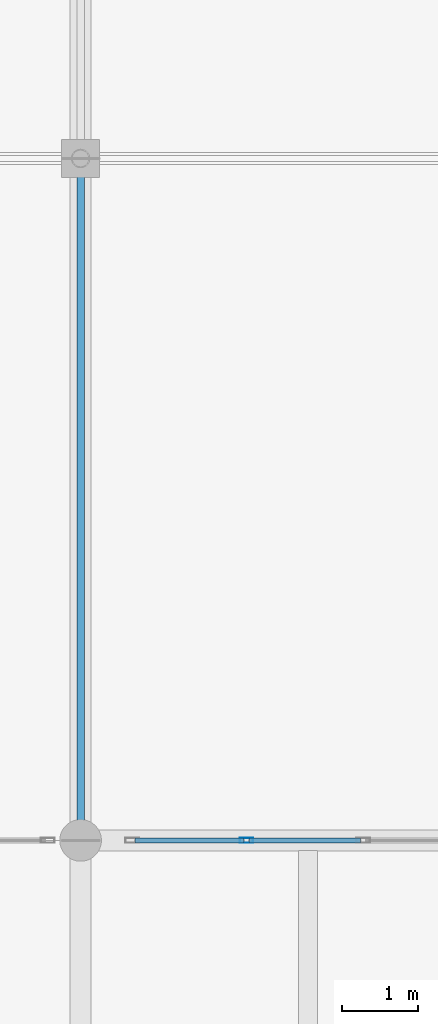
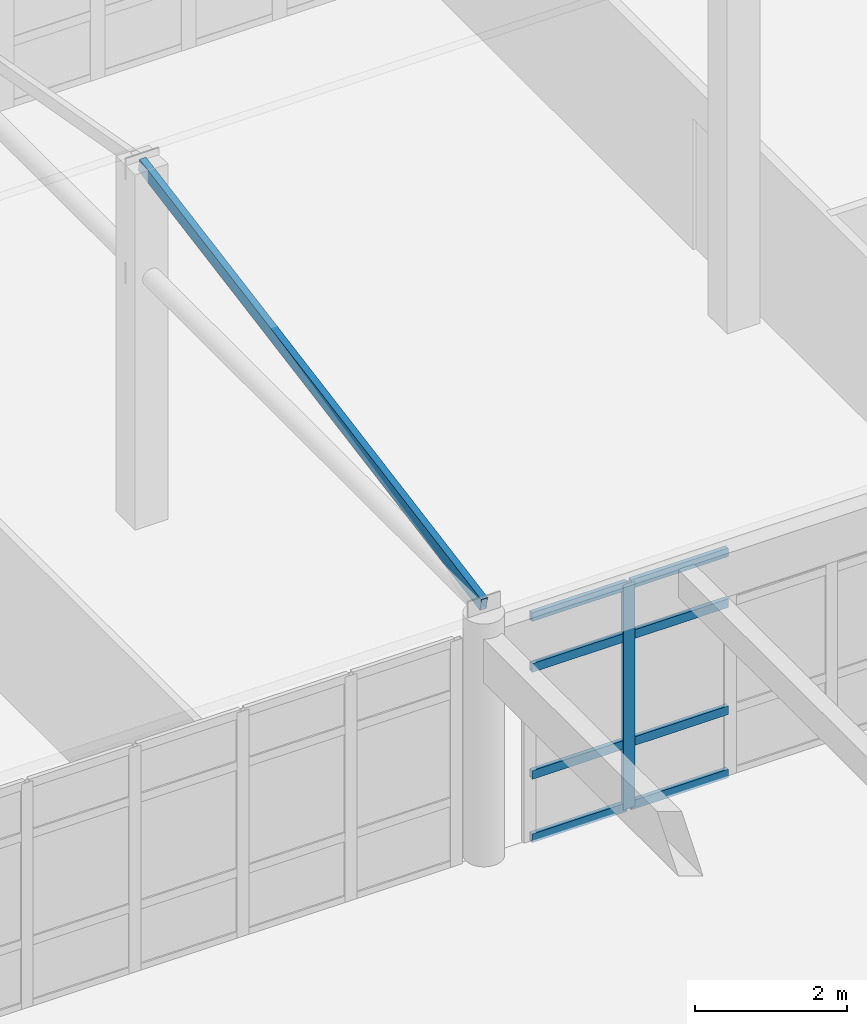
# One storey, part 65 of 156: 10 members, 1 element without a shape of its own.
"""IFC4 building model written with IfcOpenShell, lengths in metres."""

from ifc_helpers import new_model, si_unit, direction, frame, origin, origin_2d, place, context, subcontext, project, spatial, hollow_rectangle, extrude, material, layer, layer_set, material_profile, profile_set, type_object, element, aggregate, save


model = new_model("IFC4")

# Units and contexts
model_context = context("Model", 3, precision=1e-05, world=origin(), true_north=direction((0.0, 1.0)))
body_context = subcontext(model_context, "Body", "Model", "MODEL_VIEW")
ifc_project = project(units=[si_unit("LENGTHUNIT", "METRE"), si_unit("AREAUNIT", "SQUARE_METRE"), si_unit("VOLUMEUNIT", "CUBIC_METRE"), si_unit("PLANEANGLEUNIT", "RADIAN"), si_unit("MASSUNIT", "GRAM", prefix="KILO")], contexts=[model_context])

# Site, building, storey
site_placement = place(None, origin())
site = spatial("IfcSite", under=ifc_project, at=site_placement, CompositionType="ELEMENT")
building_placement = place(site_placement, origin())
building = spatial("IfcBuilding", under=site, at=building_placement, Name="Ornek Quay Market", CompositionType="ELEMENT")
storey_placement = place(building_placement, frame((0.0, 0.0, 4.5)))
storey = spatial("IfcBuildingStorey", under=building, at=storey_placement, Name="L01", CompositionType="ELEMENT", Elevation=4.5)

# Curtain wall, members
ifc_material_1 = material(Name="Anodised bronze aluminium and triple low-e glass", Category="aluminium")
ifc_layer = layer(ifc_material_1, 0.139892578125, Name="Anodised bronze aluminium and triple low-e glass", Category="aluminium")
ifc_layer_set = layer_set([ifc_layer], Name="Anodised bronze aluminium and triple low-e glass")
curtain_wall_type = type_object("IfcCurtainWallType", Name="CW-GALLERY-INT", PredefinedType="USERDEFINED", material=ifc_layer_set)
curtain_wall_placement = place(storey_placement, origin())
curtain_wall = element("IfcCurtainWall", 1, at=curtain_wall_placement, inside=storey, type_object=curtain_wall_type, Name="Curtain wall CW-132", ObjectType="CURTAIN WALL", PredefinedType="USERDEFINED")
ifc_material_2 = material(Name="Anodised aluminium 6063-T6", Category="aluminium")
ifc_material_profile_1 = material_profile(ifc_material_2, hollow_rectangle(XDim=0.06494140625, YDim=0.179931640625, WallThickness=0.00439453125, at=origin_2d()), Name="CW-MUL-65x180", Category="aluminium")
ifc_profile_set_1 = profile_set([ifc_material_profile_1], Name="Anodised aluminium 6063-T6")
member_type_1 = type_object("IfcMemberType", Name="CW-MUL-65x180", PredefinedType="MULLION", material=ifc_profile_set_1)
member_1_placement = place(storey_placement, frame((110.18994140625, 92.0, 0.0), z_axis=(0.0, 0.0, 1.0), x_axis=(0.0, 1.0, 0.0)))
member_1 = element("IfcMember", 2, at=member_1_placement, type_object=member_type_1, Name="CW-132 mullion 2", PredefinedType="MULLION", context=body_context, shape_type="SweptSolid", body=[
    extrude(hollow_rectangle(XDim=0.06494140625, YDim=0.179931640625, WallThickness=0.00439453125, at=origin_2d()), origin(), (0.0, 0.0, 1.0), 3.6201171875),
])
ifc_material_profile_2 = material_profile(ifc_material_2, hollow_rectangle(XDim=0.06494140625, YDim=0.139892578125, WallThickness=0.00439453125, at=origin_2d()), Name="CW-TRN-65x140", Category="aluminium")
ifc_profile_set_2 = profile_set([ifc_material_profile_2], Name="Anodised aluminium 6063-T6")
member_type_2 = type_object("IfcMemberType", Name="CW-TRN-65x140", PredefinedType="USERDEFINED", material=ifc_profile_set_2)
member_2_placement = place(storey_placement, frame((108.715087890625, 92.0, 0.032470703125), z_axis=(1.0, 0.0, 0.0), x_axis=(0.0, 1.0, 0.0)))
member_2 = element("IfcMember", 3, at=member_2_placement, type_object=member_type_2, Name="CW-132 transom 1.1", ObjectType="TRANSOM", PredefinedType="USERDEFINED", context=body_context, shape_type="SweptSolid", body=[
    extrude(hollow_rectangle(XDim=0.06494140625, YDim=0.139892578125, WallThickness=0.00439453125, at=origin_2d()), origin(), (0.0, 0.0, 1.0), 1.4423828125),
])
member_3_placement = place(storey_placement, frame((108.715087890625, 92.0, 1.050048828125), z_axis=(1.0, 0.0, 0.0), x_axis=(0.0, 1.0, 0.0)))
member_3 = element("IfcMember", 4, at=member_3_placement, type_object=member_type_2, Name="CW-132 transom 1.2", ObjectType="TRANSOM", PredefinedType="USERDEFINED", context=body_context, shape_type="SweptSolid", body=[
    extrude(hollow_rectangle(XDim=0.06494140625, YDim=0.139892578125, WallThickness=0.00439453125, at=origin_2d()), origin(), (0.0, 0.0, 1.0), 1.4423828125),
])
member_4_placement = place(storey_placement, frame((108.715087890625, 92.0, 2.77001953125), z_axis=(1.0, 0.0, 0.0), x_axis=(0.0, 1.0, 0.0)))
member_4 = element("IfcMember", 5, at=member_4_placement, type_object=member_type_2, Name="CW-132 transom 1.3", ObjectType="TRANSOM", PredefinedType="USERDEFINED", context=body_context, shape_type="SweptSolid", body=[
    extrude(hollow_rectangle(XDim=0.06494140625, YDim=0.139892578125, WallThickness=0.00439453125, at=origin_2d()), origin(), (0.0, 0.0, 1.0), 1.4423828125),
])
member_5_placement = place(storey_placement, frame((108.715087890625, 92.0, 3.58740234375), z_axis=(1.0, 0.0, 0.0), x_axis=(0.0, 1.0, 0.0)))
member_5 = element("IfcMember", 6, at=member_5_placement, type_object=member_type_2, Name="CW-132 transom 1.4", ObjectType="TRANSOM", PredefinedType="USERDEFINED", context=body_context, shape_type="SweptSolid", body=[
    extrude(hollow_rectangle(XDim=0.06494140625, YDim=0.139892578125, WallThickness=0.00439453125, at=origin_2d()), origin(), (0.0, 0.0, 1.0), 1.4423828125),
])
member_6_placement = place(storey_placement, frame((110.222412109375, 92.0, 0.032470703125), z_axis=(1.0, 0.0, 0.0), x_axis=(0.0, 1.0, 0.0)))
member_6 = element("IfcMember", 7, at=member_6_placement, type_object=member_type_2, Name="CW-132 transom 2.1", ObjectType="TRANSOM", PredefinedType="USERDEFINED", context=body_context, shape_type="SweptSolid", body=[
    extrude(hollow_rectangle(XDim=0.06494140625, YDim=0.139892578125, WallThickness=0.00439453125, at=origin_2d()), origin(), (0.0, 0.0, 1.0), 1.47509765625),
])
member_7_placement = place(storey_placement, frame((110.222412109375, 92.0, 1.050048828125), z_axis=(1.0, 0.0, 0.0), x_axis=(0.0, 1.0, 0.0)))
member_7 = element("IfcMember", 8, at=member_7_placement, type_object=member_type_2, Name="CW-132 transom 2.2", ObjectType="TRANSOM", PredefinedType="USERDEFINED", context=body_context, shape_type="SweptSolid", body=[
    extrude(hollow_rectangle(XDim=0.06494140625, YDim=0.139892578125, WallThickness=0.00439453125, at=origin_2d()), origin(), (0.0, 0.0, 1.0), 1.47509765625),
])
member_8_placement = place(storey_placement, frame((110.222412109375, 92.0, 2.77001953125), z_axis=(1.0, 0.0, 0.0), x_axis=(0.0, 1.0, 0.0)))
member_8 = element("IfcMember", 9, at=member_8_placement, type_object=member_type_2, Name="CW-132 transom 2.3", ObjectType="TRANSOM", PredefinedType="USERDEFINED", context=body_context, shape_type="SweptSolid", body=[
    extrude(hollow_rectangle(XDim=0.06494140625, YDim=0.139892578125, WallThickness=0.00439453125, at=origin_2d()), origin(), (0.0, 0.0, 1.0), 1.47509765625),
])
member_9_placement = place(storey_placement, frame((110.222412109375, 92.0, 3.58740234375), z_axis=(1.0, 0.0, 0.0), x_axis=(0.0, 1.0, 0.0)))
member_9 = element("IfcMember", 10, at=member_9_placement, type_object=member_type_2, Name="CW-132 transom 2.4", ObjectType="TRANSOM", PredefinedType="USERDEFINED", context=body_context, shape_type="SweptSolid", body=[
    extrude(hollow_rectangle(XDim=0.06494140625, YDim=0.139892578125, WallThickness=0.00439453125, at=origin_2d()), origin(), (0.0, 0.0, 1.0), 1.47509765625),
])
aggregate(curtain_wall, [member_1, member_2, member_3, member_4, member_5, member_6, member_7, member_8, member_9])

# Member
ifc_material_3 = material(Name="Steel S355", Category="steel")
ifc_material_profile_3 = material_profile(ifc_material_3, hollow_rectangle(XDim=0.10009765625, YDim=0.199951171875, WallThickness=0.008056640625, at=origin_2d()), Name="MBR-RAF-100x200", Category="steel")
ifc_profile_set_3 = profile_set([ifc_material_profile_3], Name="Steel S355")
member_type_3 = type_object("IfcMemberType", Name="MBR-RAF-100x200", PredefinedType="RAFTER", material=ifc_profile_set_3)
member_10_placement = place(storey_placement, frame((108.0, 92.0, 4.030029296875), z_axis=(0.0, 0.984185744367, 0.177139551158), x_axis=(-1.0, 0.0, 0.0)))
element("IfcMember", 11, at=member_10_placement, inside=storey, type_object=member_type_3, Name="Concourse skylight rafter C-108-S", PredefinedType="RAFTER", context=body_context, shape_type="SweptSolid", body=[
    extrude(hollow_rectangle(XDim=0.10009765625, YDim=0.199951171875, WallThickness=0.008056640625, at=origin_2d()), origin(), (0.0, 0.0, 1.0), 9.14453125),
])

save(model, "model.ifc")
